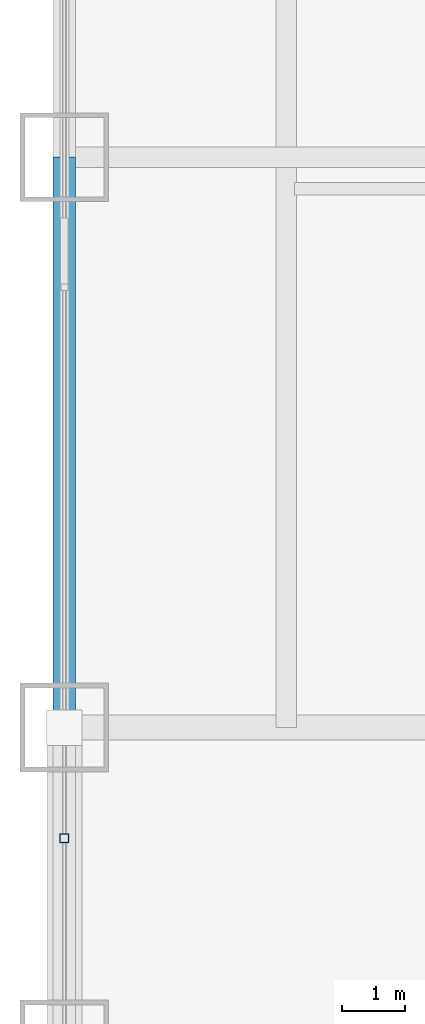
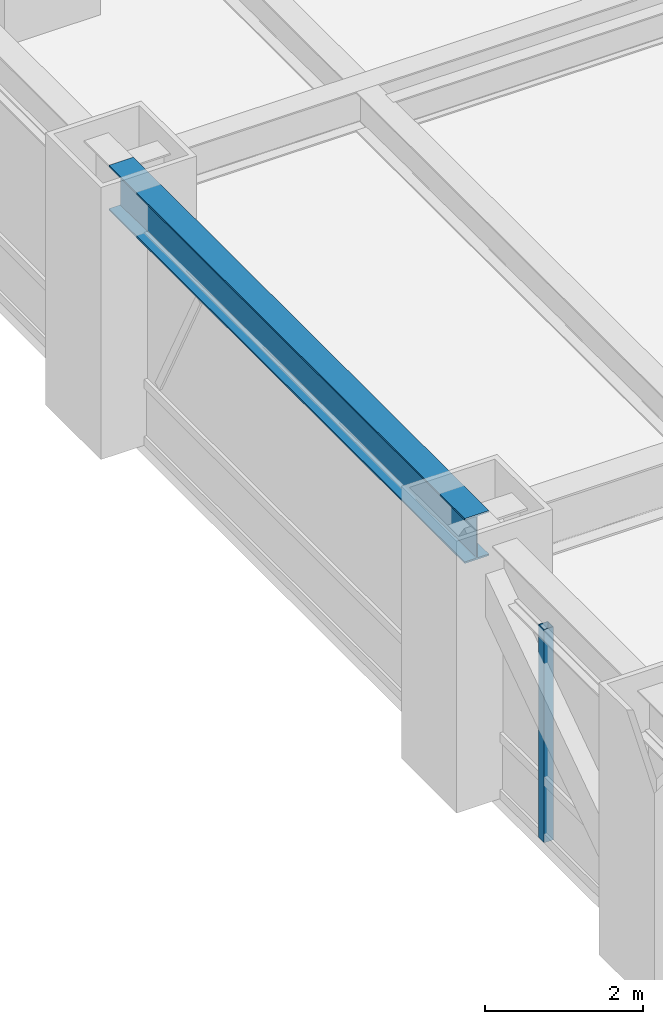
# One storey, part 12 of 28: 1 beam, 1 member, 1 element without a shape of its own.
"""IFC4 building model written with IfcOpenShell, lengths in metres."""

from ifc_helpers import new_model, si_unit, direction, frame, origin, origin_2d, place, context, subcontext, project, spatial, hollow_rectangle, i_section, extrude, source, transform, mapped, material, material_profile, profile_set, type_object, element, aggregate, save


model = new_model("IFC4")

# Units and contexts
model_context = context("Model", 3, precision=1e-05, world=origin(), true_north=direction((0.0, 1.0)))
body_context = subcontext(model_context, "Body", "Model", "MODEL_VIEW")
ifc_project = project(units=[si_unit("LENGTHUNIT", "METRE"), si_unit("AREAUNIT", "SQUARE_METRE"), si_unit("VOLUMEUNIT", "CUBIC_METRE"), si_unit("PLANEANGLEUNIT", "RADIAN"), si_unit("MASSUNIT", "GRAM", prefix="KILO")], contexts=[model_context])

# Site, building, storey
site_placement = place(None, origin())
site = spatial("IfcSite", under=ifc_project, at=site_placement, CompositionType="ELEMENT")
building_placement = place(site_placement, origin())
building = spatial("IfcBuilding", under=site, at=building_placement, Name="Khorayat Bourse Tower", CompositionType="ELEMENT")
storey_placement = place(building_placement, frame((0.0, 0.0, 57.800048828125)))
storey = spatial("IfcBuildingStorey", under=building, at=storey_placement, Name="L12", CompositionType="ELEMENT", Elevation=57.800048828125)

# Beam
ifc_material_1 = material(Name="Steel ASTM A992 Grade 50", Category="steel")
ifc_material_profile_1 = material_profile(ifc_material_1, i_section(OverallWidth=0.35498046875, OverallDepth=0.695068359375, WebThickness=0.015380859375, FlangeThickness=0.02490234375, FilletRadius=0.01806640625, at=origin_2d()), Name="W690X217")
ifc_profile_set_1 = profile_set([ifc_material_profile_1], Name="Steel ASTM A992 Grade 50")
beam_type = type_object("IfcBeamType", Name="BM-SPAN-690", PredefinedType="SPANDREL", material=ifc_profile_set_1)
shared_shape_1 = source(origin(), body_context, "Body", "SweptSolid", [
    extrude(i_section(OverallWidth=0.35498046875, OverallDepth=0.695068359375, WebThickness=0.015380859375, FlangeThickness=0.02490234375, FilletRadius=0.01806640625, at=origin_2d()), origin(), (0.0, 0.0, 1.0), 9.0),
])
beam_placement = place(storey_placement, frame((-32.0, 11.0, 3.592529296875), z_axis=(0.0, 1.0, 0.0), x_axis=(-1.0, 0.0, 0.0)))
element("IfcBeam", 1, at=beam_placement, inside=storey, type_object=beam_type, Name="L12 BM-SPAN-690 BM-L12-SPN-055", PredefinedType="SPANDREL", context=body_context, shape_type="MappedRepresentation", body=[
    mapped(shared_shape_1, transform((0.0, 0.0, 0.0), scale=1.0)),
])

# Curtain wall, member
ifc_material_2 = material(Name="Aluminium EN AW-6063 T6", Category="aluminium")
curtain_wall_type = type_object("IfcCurtainWallType", Name="CW-SYS-02", PredefinedType="NOTDEFINED", material=ifc_material_2)
curtain_wall_placement = place(storey_placement, origin())
curtain_wall = element("IfcCurtainWall", 2, at=curtain_wall_placement, inside=storey, type_object=curtain_wall_type, Name="L12 Curtain Wall CW-L12-W1", PredefinedType="NOTDEFINED")
ifc_material_profile_2 = material_profile(ifc_material_2, hollow_rectangle(XDim=0.139892578125, YDim=0.139892578125, WallThickness=0.006103515625, at=origin_2d()), Name="ALU 140x140x6")
ifc_profile_set_2 = profile_set([ifc_material_profile_2], Name="Aluminium EN AW-6063 T6")
member_type = type_object("IfcMemberType", Name="CWM-VERT-140", PredefinedType="MULLION", material=ifc_profile_set_2)
shared_shape_2 = source(origin(), body_context, "Body", "SweptSolid", [
    extrude(hollow_rectangle(XDim=0.139892578125, YDim=0.139892578125, WallThickness=0.006103515625, at=origin_2d()), origin(), (0.0, 0.0, 1.0), 3.2900390625),
])
member_placement = place(storey_placement, frame((-32.0, 9.25, 0.0), z_axis=(0.0, 0.0, 1.0), x_axis=(-1.0, 0.0, 0.0)))
member = element("IfcMember", 3, at=member_placement, type_object=member_type, Name="CW-L12-W1 Vertical Mullion 3", PredefinedType="MULLION", context=body_context, shape_type="MappedRepresentation", body=[
    mapped(shared_shape_2, transform((0.0, 0.0, 0.0), scale=1.0)),
])
aggregate(curtain_wall, [member])

save(model, "model.ifc")
